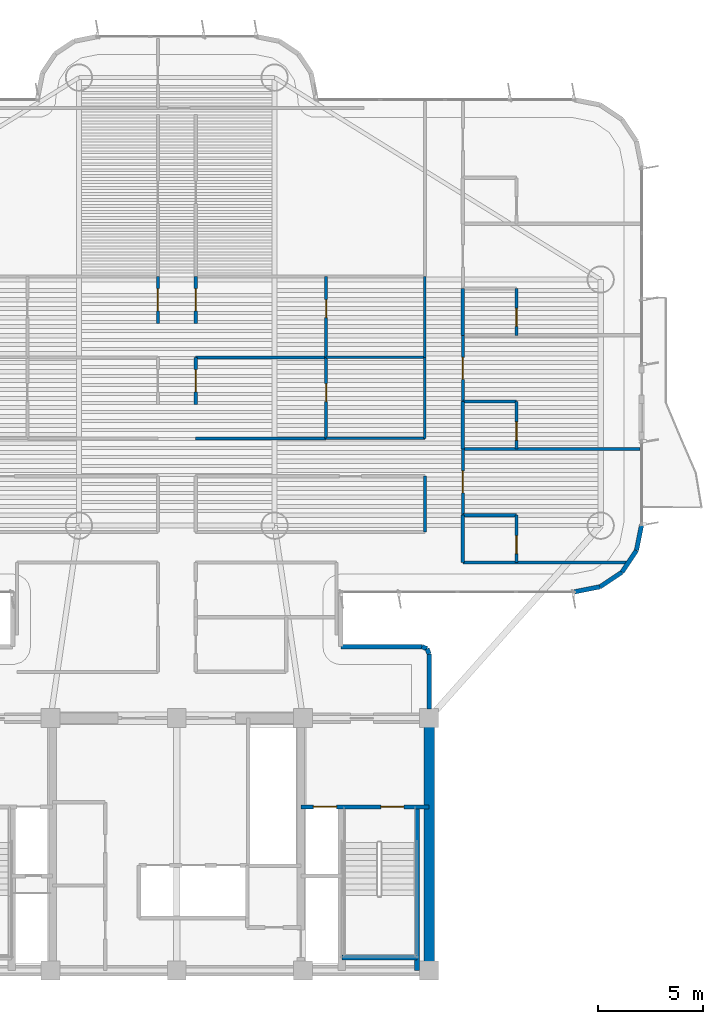
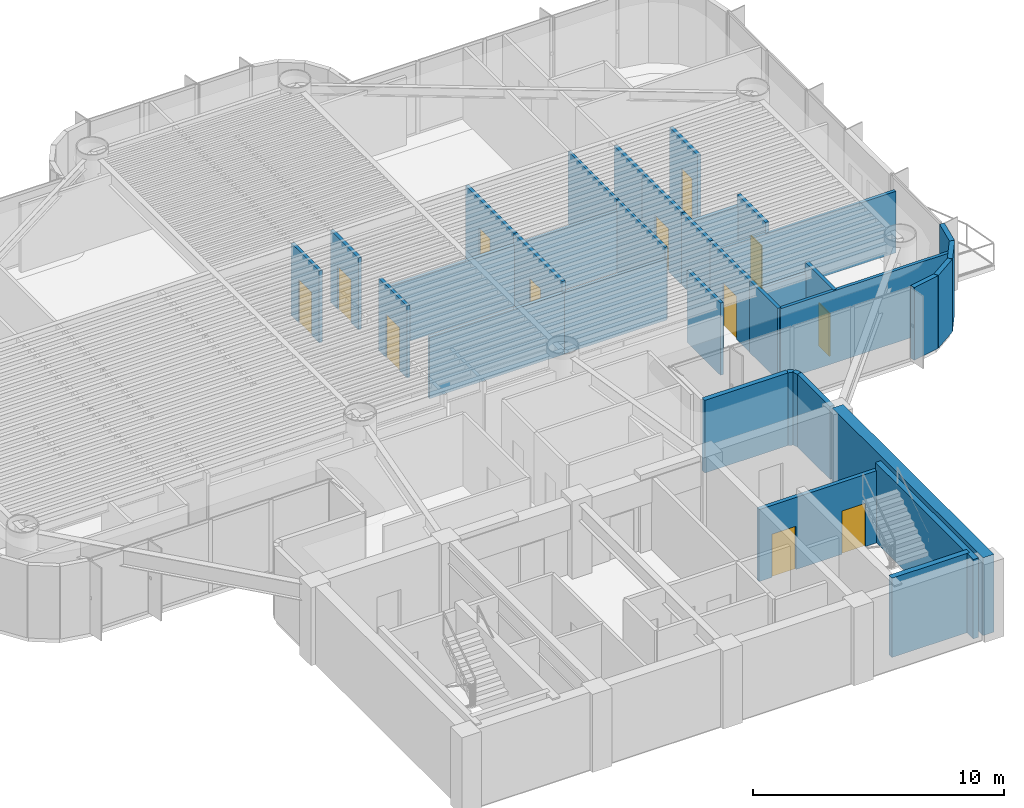
# One storey, part 11 of 17: 36 walls, 12 doors, 12 openings.
"""IFC4 building model written with IfcOpenShell, lengths in metres."""

from ifc_helpers import new_model, si_unit, direction, frame, frame_2d, origin, origin_2d, place, context, subcontext, project, spatial, rectangle, extrude, source, transform, mapped, material, layer, layer_set, type_object, element, fill, save


model = new_model("IFC4")

# Units and contexts
model_context = context("Model", 3, precision=1e-05, world=origin(), true_north=direction((0.0, 1.0)))
body_context = subcontext(model_context, "Body", "Model", "MODEL_VIEW")
ifc_project = project(units=[si_unit("LENGTHUNIT", "METRE"), si_unit("AREAUNIT", "SQUARE_METRE"), si_unit("VOLUMEUNIT", "CUBIC_METRE"), si_unit("PLANEANGLEUNIT", "RADIAN"), si_unit("MASSUNIT", "GRAM", prefix="KILO")], contexts=[model_context])

# Site, building, storey
site_placement = place(None, origin())
site = spatial("IfcSite", under=ifc_project, at=site_placement, CompositionType="ELEMENT")
building_placement = place(site_placement, origin())
building = spatial("IfcBuilding", under=site, at=building_placement, Name="Brelvock Crest Care Tower", CompositionType="ELEMENT")
storey_placement = place(building_placement, frame((0.0, 0.0, 131.39990234375)))
storey = spatial("IfcBuildingStorey", under=building, at=storey_placement, Name="L33", CompositionType="ELEMENT", Elevation=131.39990234375)

# Walls
ifc_material_1 = material(Name="Concrete S80 (80 MPa)", Category="concrete")
ifc_layer_1 = layer(ifc_material_1, 0.5, Name="WL-CS2")
ifc_layer_set_1 = layer_set([ifc_layer_1], Name="Concrete S80 (80 MPa)")
wall_type_1 = type_object("IfcWallType", Name="WL-CS2", PredefinedType="SHEAR", material=ifc_layer_set_1)
wall_1_placement = place(storey_placement, frame((48.0, 18.0, 0.0), z_axis=(0.0, 0.0, 1.0), x_axis=(0.0, -1.0, 0.0)))
element("IfcWall", 1, at=wall_1_placement, inside=storey, type_object=wall_type_1, Name="L33 Core East Shear Wall", PredefinedType="SHEAR", context=body_context, shape_type="SweptSolid", body=[
    extrude(rectangle(XDim=12.0, YDim=0.5, at=frame_2d((6.0, 0.0))), origin(), (0.0, 0.0, 1.0), 3.780029296875),
])
ifc_layer_2 = layer(ifc_material_1, 0.25, Name="WL-CS6")
ifc_layer_set_2 = layer_set([ifc_layer_2], Name="Concrete S80 (80 MPa)")
wall_type_2 = type_object("IfcWallType", Name="WL-CS6", PredefinedType="SHEAR", material=ifc_layer_set_2)
wall_2_placement = place(storey_placement, frame((47.419921875, 6.0, 0.0), z_axis=(0.0, 0.0, 1.0), x_axis=(0.0, 1.0, 0.0)))
element("IfcWall", 2, at=wall_2_placement, inside=storey, type_object=wall_type_2, Name="L33 Core Stair ST-2 East Shear Wall", PredefinedType="SHEAR", context=body_context, shape_type="SweptSolid", body=[
    extrude(rectangle(XDim=7.780029296875, YDim=0.25, at=frame_2d((3.89013671875, 0.0))), origin(), (0.0, 0.0, 1.0), 3.85009765625),
])
wall_3_placement = place(storey_placement, frame((43.85009765625, 6.6201171875, 0.0), z_axis=(0.0, 0.0, 1.0), x_axis=(1.0, 0.0, 0.0)))
element("IfcWall", 3, at=wall_3_placement, inside=storey, type_object=wall_type_2, Name="L33 Core Stair ST-2 South Shear Wall", PredefinedType="SHEAR", context=body_context, shape_type="SweptSolid", body=[
    extrude(rectangle(XDim=3.56982421875, YDim=0.25, at=frame_2d((1.784912109375, 0.0))), origin(), (0.0, 0.0, 1.0), 3.85009765625),
])
ifc_material_2 = material(Name="Precast concrete N40 (40 MPa)", Category="concrete")
ifc_layer_3 = layer(ifc_material_2, 0.215087890625, Name="WL-EX2")
ifc_layer_set_3 = layer_set([ifc_layer_3], Name="Precast concrete N40 (40 MPa)")
wall_type_3 = type_object("IfcWallType", Name="WL-EX2", PredefinedType="SOLIDWALL", material=ifc_layer_set_3)
wall_4_placement = place(storey_placement, frame((47.8974609375, 21.297607421875, 0.0), z_axis=(0.0, 0.0, 1.0), x_axis=(0.382673670509, -0.923883575944, 0.0)))
element("IfcWall", 4, at=wall_4_placement, inside=storey, type_object=wall_type_3, Name="L33 Rounded Corner Wall 00", PredefinedType="SOLIDWALL", context=body_context, shape_type="SweptSolid", body=[
    extrude(rectangle(XDim=0.26806640625, YDim=0.215087890625, at=frame_2d((0.134033203125, 0.0))), origin(), (0.0, 0.0, 1.0), 3.530029296875),
])
wall_5_placement = place(storey_placement, frame((48.0, 21.050048828125, 0.0), z_axis=(0.0, 0.0, 1.0), x_axis=(0.0, -1.0, 0.0)))
element("IfcWall", 5, at=wall_5_placement, inside=storey, type_object=wall_type_3, Name="L33 Rounded Corner Wall 01", PredefinedType="SOLIDWALL", context=body_context, shape_type="SweptSolid", body=[
    extrude(rectangle(XDim=2.6201171875, YDim=0.215087890625, at=frame_2d((1.31005859375, 0.0))), origin(), (0.0, 0.0, 1.0), 3.530029296875),
])
for number, where, z_axis, x_axis, name in (
    (6, (58.10009765625, 27.199951171875, 0.0), (0.0, 0.0, 1.0), (-0.195138390419, -0.980775717779, 0.0), "L33 Rounded Corner Wall 40"),
    (7, (57.8564453125, 25.975341796875, 0.0), (0.0, 0.0, 1.0), (-0.555692485475, -0.831387912822, 0.0), "L33 Rounded Corner Wall 41"),
    (8, (57.16259765625, 24.937255859375, 0.0), (0.0, 0.0, 1.0), (-0.831478245117, -0.555557312883, 0.0), "L33 Rounded Corner Wall 42"),
    (9, (56.12451171875, 24.24365234375, 0.0), (0.0, 0.0, 1.0), (-0.980775717779, -0.195138390419, 0.0), "L33 Rounded Corner Wall 43"),
):
    element("IfcWall", number, at=place(storey_placement, frame(where, z_axis=z_axis, x_axis=x_axis)), inside=storey, type_object=wall_type_3, Name=name, PredefinedType="SOLIDWALL", context=body_context, shape_type="SweptSolid", body=[
        extrude(rectangle(XDim=1.24853515625, YDim=0.215087890625, at=frame_2d((0.624267578125, 0.0))), origin(), (0.0, 0.0, 1.0), 3.530029296875),
    ])
wall_6_placement = place(storey_placement, frame((43.800048828125, 21.39990234375, 0.0), z_axis=(0.0, 0.0, 1.0), x_axis=(1.0, 0.0, 0.0)))
element("IfcWall", 10, at=wall_6_placement, inside=storey, type_object=wall_type_3, Name="L33 Rounded Corner Wall 46", PredefinedType="SOLIDWALL", context=body_context, shape_type="SweptSolid", body=[
    extrude(rectangle(XDim=3.849853515625, YDim=0.215087890625, at=frame_2d((1.9248046875, 0.0))), origin(), (0.0, 0.0, 1.0), 3.530029296875),
])
wall_7_placement = place(storey_placement, frame((47.64990234375, 21.39990234375, 0.0), z_axis=(0.0, 0.0, 1.0), x_axis=(0.924205486139, -0.381895560841, 0.0)))
element("IfcWall", 11, at=wall_7_placement, inside=storey, type_object=wall_type_3, Name="L33 Rounded Corner Wall 47", PredefinedType="SOLIDWALL", context=body_context, shape_type="SweptSolid", body=[
    extrude(rectangle(XDim=0.267822265625, YDim=0.215087890625, at=frame_2d((0.1337890625, 0.0))), origin(), (0.0, 0.0, 1.0), 3.530029296875),
])
ifc_material_3 = material(Name="Masonry Blockwork Acoustic Partition", Category="masonry")
ifc_layer_4 = layer(ifc_material_3, 0.14990234375, Name="WL-INT1")
ifc_layer_set_4 = layer_set([ifc_layer_4], Name="Masonry Blockwork Acoustic Partition")
wall_type_4 = type_object("IfcWallType", Name="WL-INT1", PredefinedType="PARTITIONING", material=ifc_layer_set_4)
wall_8_placement = place(storey_placement, frame((49.60009765625, 25.39990234375, 0.0), z_axis=(0.0, 0.0, 1.0), x_axis=(1.0, 0.0, 0.0)))
element("IfcWall", 12, at=wall_8_placement, inside=storey, type_object=wall_type_4, Name="L33 Interior Wall WL-BX-L33-CS-SNE1-S", PredefinedType="PARTITIONING", context=body_context, shape_type="SweptSolid", body=[
    extrude(rectangle(XDim=7.775634765625, YDim=0.14990234375, at=frame_2d((3.8876953125, 0.0))), origin(), (0.0, 0.0, 1.0), 3.5),
])
wall_9_placement = place(storey_placement, frame((49.60009765625, 30.800048828125, 0.0), z_axis=(0.0, 0.0, 1.0), x_axis=(1.0, 0.0, 0.0)))
element("IfcWall", 13, at=wall_9_placement, inside=storey, type_object=wall_type_4, Name="L33 Interior Wall WL-BX-L33-CS-SNE1-N", PredefinedType="PARTITIONING", context=body_context, shape_type="SweptSolid", body=[
    extrude(rectangle(XDim=8.419921875, YDim=0.14990234375, at=frame_2d((4.2099609375, 0.0))), origin(), (0.0, 0.0, 1.0), 2.982177734375),
])
for number, where, z_axis, x_axis, name in (
    (14, (36.89990234375, 31.300048828125, 0.0), (0.0, 0.0, 1.0), (1.0, 0.0, 0.0), "L33 Interior Wall WL-BX-L33-CS-INES1A-S"),
    (15, (36.89990234375, 35.14990234375, 0.0), (0.0, 0.0, 1.0), (1.0, 0.0, 0.0), "L33 Interior Wall WL-BX-L33-CS-INES1A-N"),
):
    element("IfcWall", number, at=place(storey_placement, frame(where, z_axis=z_axis, x_axis=x_axis)), inside=storey, type_object=wall_type_4, Name=name, PredefinedType="PARTITIONING", context=body_context, shape_type="SweptSolid", body=[
        extrude(rectangle(XDim=6.2001953125, YDim=0.14990234375, at=frame_2d((3.10009765625, 0.0))), origin(), (0.0, 0.0, 1.0), 2.982177734375),
    ])

# Wall, opening, door
wall_10_placement = place(storey_placement, frame((35.10009765625, 36.76708984375, 0.0), z_axis=(0.0, 0.0, 1.0), x_axis=(0.0, 1.0, 0.0)))
wall_10 = element("IfcWall", 16, at=wall_10_placement, inside=storey, type_object=wall_type_4, Name="L33 Interior Wall WL-CENT-L33-INWS1B", PredefinedType="PARTITIONING", context=body_context, shape_type="SweptSolid", body=[
    extrude(rectangle(XDim=2.23291015625, YDim=0.14990234375, at=frame_2d((1.116455078125, 0.0))), origin(), (0.0, 0.0, 1.0), 3.5),
])
opening_1_placement = place(wall_10_placement, frame((0.595947265625, 0.0, 0.0)))
opening_1 = element("IfcOpeningElement", 17, at=opening_1_placement, cuts=wall_10, Name="Opening CD-1", PredefinedType="OPENING", context=body_context, shape_type="SweptSolid", body=[
    extrude(rectangle(XDim=1.050048828125, YDim=2.10009765625, at=origin_2d()), frame((0.52490234375, 0.0849609375, 1.050048828125), z_axis=(0.0, -1.0, 0.0), x_axis=(1.0, 0.0, 0.0)), (0.0, 0.0, 1.0), 0.169921875),
])
ifc_material_4 = material(Name="Engineered Hardwood Timber", Category="wood")
door_type_1 = type_object("IfcDoorType", Name="DR-CARE1", OperationType="NOTDEFINED", PredefinedType="DOOR", material=ifc_material_4)
shared_shape_1 = source(origin(), body_context, "Body", "SweptSolid", [
    extrude(rectangle(XDim=1.050048828125, YDim=2.10009765625, at=origin_2d()), frame((0.52490234375, 0.02490234375, 1.050048828125), z_axis=(0.0, -1.0, 0.0), x_axis=(1.0, 0.0, 0.0)), (0.0, 0.0, 1.0), 0.050048828125),
])
door_1_placement = place(opening_1_placement, origin())
door_1 = element("IfcDoor", 18, at=door_1_placement, inside=storey, type_object=door_type_1, Name="L33 Care Suite Door INWS1B", OperationType="SINGLE_SWING_LEFT", OverallHeight=2.10009765625, OverallWidth=1.050048828125, PredefinedType="DOOR", context=body_context, shape_type="MappedRepresentation", body=[
    mapped(shared_shape_1, transform((0.0, 0.0, 0.0), x_axis=(1.0, 0.0, 0.0), y_axis=(0.0, 1.0, 0.0), z_axis=(0.0, 0.0, 1.0), scale=1.0)),
])
fill(opening_1, door_1)

wall_11_placement = place(storey_placement, frame((36.89990234375, 32.9169921875, 0.0), z_axis=(0.0, 0.0, 1.0), x_axis=(0.0, 1.0, 0.0)))
wall_11 = element("IfcWall", 19, at=wall_11_placement, inside=storey, type_object=wall_type_4, Name="L33 Interior Wall WL-CENT-L33-INES1A", PredefinedType="PARTITIONING", context=body_context, shape_type="SweptSolid", body=[
    extrude(rectangle(XDim=2.23291015625, YDim=0.14990234375, at=frame_2d((1.116455078125, 0.0))), origin(), (0.0, 0.0, 1.0), 3.5),
])
opening_2_placement = place(wall_11_placement, frame((0.595947265625, 0.0, 0.0)))
opening_2 = element("IfcOpeningElement", 20, at=opening_2_placement, cuts=wall_11, Name="Opening CD-1", PredefinedType="OPENING", context=body_context, shape_type="SweptSolid", body=[
    extrude(rectangle(XDim=1.050048828125, YDim=2.10009765625, at=origin_2d()), frame((0.52490234375, 0.0849609375, 1.050048828125), z_axis=(0.0, -1.0, 0.0), x_axis=(1.0, 0.0, 0.0)), (0.0, 0.0, 1.0), 0.169921875),
])
door_2_placement = place(opening_2_placement, origin())
door_2 = element("IfcDoor", 21, at=door_2_placement, inside=storey, type_object=door_type_1, Name="L33 Care Suite Door INES1A", OperationType="SINGLE_SWING_LEFT", OverallHeight=2.10009765625, OverallWidth=1.050048828125, PredefinedType="DOOR", context=body_context, shape_type="MappedRepresentation", body=[
    mapped(shared_shape_1, transform((0.0, 0.0, 0.0), x_axis=(1.0, 0.0, 0.0), y_axis=(0.0, 1.0, 0.0), z_axis=(0.0, 0.0, 1.0), scale=1.0)),
])
fill(opening_2, door_2)

wall_12_placement = place(storey_placement, frame((36.89990234375, 36.76708984375, 0.0), z_axis=(0.0, 0.0, 1.0), x_axis=(0.0, 1.0, 0.0)))
wall_12 = element("IfcWall", 22, at=wall_12_placement, inside=storey, type_object=wall_type_4, Name="L33 Interior Wall WL-CENT-L33-INES1B", PredefinedType="PARTITIONING", context=body_context, shape_type="SweptSolid", body=[
    extrude(rectangle(XDim=2.23291015625, YDim=0.14990234375, at=frame_2d((1.116455078125, 0.0))), origin(), (0.0, 0.0, 1.0), 3.5),
])
opening_3_placement = place(wall_12_placement, frame((0.595947265625, 0.0, 0.0)))
opening_3 = element("IfcOpeningElement", 23, at=opening_3_placement, cuts=wall_12, Name="Opening CD-1", PredefinedType="OPENING", context=body_context, shape_type="SweptSolid", body=[
    extrude(rectangle(XDim=1.050048828125, YDim=2.10009765625, at=origin_2d()), frame((0.52490234375, 0.0849609375, 1.050048828125), z_axis=(0.0, -1.0, 0.0), x_axis=(1.0, 0.0, 0.0)), (0.0, 0.0, 1.0), 0.169921875),
])
door_3_placement = place(opening_3_placement, origin())
door_3 = element("IfcDoor", 24, at=door_3_placement, inside=storey, type_object=door_type_1, Name="L33 Care Suite Door INES1B", OperationType="SINGLE_SWING_LEFT", OverallHeight=2.10009765625, OverallWidth=1.050048828125, PredefinedType="DOOR", context=body_context, shape_type="MappedRepresentation", body=[
    mapped(shared_shape_1, transform((0.0, 0.0, 0.0), x_axis=(1.0, 0.0, 0.0), y_axis=(0.0, 1.0, 0.0), z_axis=(0.0, 0.0, 1.0), scale=1.0)),
])
fill(opening_3, door_3)

wall_13_placement = place(storey_placement, frame((43.10009765625, 31.300048828125, 0.0), z_axis=(0.0, 0.0, 1.0), x_axis=(0.0, 1.0, 0.0)))
wall_13 = element("IfcWall", 25, at=wall_13_placement, inside=storey, type_object=wall_type_4, Name="L33 Interior Wall WL-RM-L33-INES1AS", PredefinedType="PARTITIONING", context=body_context, shape_type="SweptSolid", body=[
    extrude(rectangle(XDim=3.849853515625, YDim=0.14990234375, at=frame_2d((1.9248046875, 0.0))), origin(), (0.0, 0.0, 1.0), 3.5),
])
opening_4_placement = place(wall_13_placement, frame((1.739990234375, 0.0, 0.0)))
opening_4 = element("IfcOpeningElement", 26, at=opening_4_placement, cuts=wall_13, Name="Opening ID-1", PredefinedType="OPENING", context=body_context, shape_type="SweptSolid", body=[
    extrude(rectangle(XDim=0.860107421875, YDim=2.10009765625, at=origin_2d()), frame((0.43017578125, 0.0849609375, 1.050048828125), z_axis=(0.0, -1.0, 0.0), x_axis=(1.0, 0.0, 0.0)), (0.0, 0.0, 1.0), 0.169921875),
])
door_type_2 = type_object("IfcDoorType", Name="DR-INT1", OperationType="NOTDEFINED", PredefinedType="DOOR", material=ifc_material_4)
shared_shape_2 = source(origin(), body_context, "Body", "SweptSolid", [
    extrude(rectangle(XDim=0.860107421875, YDim=2.10009765625, at=origin_2d()), frame((0.43017578125, 0.02490234375, 1.050048828125), z_axis=(0.0, -1.0, 0.0), x_axis=(1.0, 0.0, 0.0)), (0.0, 0.0, 1.0), 0.050048828125),
])
door_4_placement = place(opening_4_placement, origin())
door_4 = element("IfcDoor", 27, at=door_4_placement, inside=storey, type_object=door_type_2, Name="L33 Skilled Nursing Mobility Store Door INES1AS", OperationType="SINGLE_SWING_LEFT", OverallHeight=2.10009765625, OverallWidth=0.860107421875, PredefinedType="DOOR", context=body_context, shape_type="MappedRepresentation", body=[
    mapped(shared_shape_2, transform((0.0, 0.0, 0.0), x_axis=(1.0, 0.0, 0.0), y_axis=(0.0, 1.0, 0.0), z_axis=(0.0, 0.0, 1.0), scale=1.0)),
])
fill(opening_4, door_4)

wall_14_placement = place(storey_placement, frame((43.10009765625, 35.14990234375, 0.0), z_axis=(0.0, 0.0, 1.0), x_axis=(0.0, 1.0, 0.0)))
wall_14 = element("IfcWall", 28, at=wall_14_placement, inside=storey, type_object=wall_type_4, Name="L33 Interior Wall WL-RM-L33-INES1BS", PredefinedType="PARTITIONING", context=body_context, shape_type="SweptSolid", body=[
    extrude(rectangle(XDim=3.85009765625, YDim=0.14990234375, at=frame_2d((1.925048828125, 0.0))), origin(), (0.0, 0.0, 1.0), 3.5),
])
opening_5_placement = place(wall_14_placement, frame((1.889892578125, 0.0, 0.0)))
opening_5 = element("IfcOpeningElement", 29, at=opening_5_placement, cuts=wall_14, Name="Opening ID-1", PredefinedType="OPENING", context=body_context, shape_type="SweptSolid", body=[
    extrude(rectangle(XDim=0.860107421875, YDim=2.10009765625, at=origin_2d()), frame((0.43017578125, 0.0849609375, 1.050048828125), z_axis=(0.0, -1.0, 0.0), x_axis=(1.0, 0.0, 0.0)), (0.0, 0.0, 1.0), 0.169921875),
])
door_5_placement = place(opening_5_placement, origin())
door_5 = element("IfcDoor", 30, at=door_5_placement, inside=storey, type_object=door_type_2, Name="L33 Skilled Nursing Mobility Store Door INES1BS", OperationType="SINGLE_SWING_LEFT", OverallHeight=2.10009765625, OverallWidth=0.860107421875, PredefinedType="DOOR", context=body_context, shape_type="MappedRepresentation", body=[
    mapped(shared_shape_2, transform((0.0, 0.0, 0.0), x_axis=(1.0, 0.0, 0.0), y_axis=(0.0, 1.0, 0.0), z_axis=(0.0, 0.0, 1.0), scale=1.0)),
])
fill(opening_5, door_5)

# Wall
wall_15_placement = place(storey_placement, frame((47.800048828125, 26.85009765625, 0.0), z_axis=(0.0, 0.0, 1.0), x_axis=(0.0, 1.0, 0.0)))
element("IfcWall", 31, at=wall_15_placement, inside=storey, type_object=wall_type_4, Name="L33 Interior Wall WL-BX-L33-ISEM-E", PredefinedType="PARTITIONING", context=body_context, shape_type="SweptSolid", body=[
    extrude(rectangle(XDim=2.64990234375, YDim=0.14990234375, at=frame_2d((1.324951171875, 0.0))), origin(), (0.0, 0.0, 1.0), 3.5),
])

# Wall, opening, door
wall_16_placement = place(storey_placement, frame((49.60009765625, 27.64990234375, 0.0), z_axis=(0.0, 0.0, 1.0), x_axis=(0.0, 1.0, 0.0)))
wall_16 = element("IfcWall", 32, at=wall_16_placement, inside=storey, type_object=wall_type_4, Name="L33 Interior Wall WL-CENT-L33-SNE1", PredefinedType="PARTITIONING", context=body_context, shape_type="SweptSolid", body=[
    extrude(rectangle(XDim=3.150146484375, YDim=0.14990234375, at=frame_2d((1.5751953125, 0.0))), origin(), (0.0, 0.0, 1.0), 3.5),
])
opening_6_placement = place(wall_16_placement, frame((1.054931640625, 0.0, 0.0)))
opening_6 = element("IfcOpeningElement", 33, at=opening_6_placement, cuts=wall_16, Name="Opening CD-1", PredefinedType="OPENING", context=body_context, shape_type="SweptSolid", body=[
    extrude(rectangle(XDim=1.050048828125, YDim=2.10009765625, at=origin_2d()), frame((0.52490234375, 0.0849609375, 1.050048828125), z_axis=(0.0, -1.0, 0.0), x_axis=(1.0, 0.0, 0.0)), (0.0, 0.0, 1.0), 0.169921875),
])
door_6_placement = place(opening_6_placement, origin())
door_6 = element("IfcDoor", 34, at=door_6_placement, inside=storey, type_object=door_type_1, Name="L33 Care Suite Door SNE1", OperationType="SINGLE_SWING_LEFT", OverallHeight=2.10009765625, OverallWidth=1.050048828125, PredefinedType="DOOR", context=body_context, shape_type="MappedRepresentation", body=[
    mapped(shared_shape_1, transform((0.0, 0.0, 0.0), x_axis=(1.0, 0.0, 0.0), y_axis=(0.0, 1.0, 0.0), z_axis=(0.0, 0.0, 1.0), scale=1.0)),
])
fill(opening_6, door_6)

wall_17_placement = place(storey_placement, frame((49.60009765625, 33.050048828125, 0.0), z_axis=(0.0, 0.0, 1.0), x_axis=(0.0, 1.0, 0.0)))
wall_17 = element("IfcWall", 35, at=wall_17_placement, inside=storey, type_object=wall_type_4, Name="L33 Interior Wall WL-CENT-L33-SNE2", PredefinedType="PARTITIONING", context=body_context, shape_type="SweptSolid", body=[
    extrude(rectangle(XDim=3.14990234375, YDim=0.14990234375, at=frame_2d((1.574951171875, 0.0))), origin(), (0.0, 0.0, 1.0), 3.5),
])
opening_7_placement = place(wall_17_placement, frame((1.054931640625, 0.0, 0.0)))
opening_7 = element("IfcOpeningElement", 36, at=opening_7_placement, cuts=wall_17, Name="Opening CD-1", PredefinedType="OPENING", context=body_context, shape_type="SweptSolid", body=[
    extrude(rectangle(XDim=1.050048828125, YDim=2.10009765625, at=origin_2d()), frame((0.52490234375, 0.0849609375, 1.050048828125), z_axis=(0.0, -1.0, 0.0), x_axis=(1.0, 0.0, 0.0)), (0.0, 0.0, 1.0), 0.169921875),
])
door_7_placement = place(opening_7_placement, origin())
door_7 = element("IfcDoor", 37, at=door_7_placement, inside=storey, type_object=door_type_1, Name="L33 Care Suite Door SNE2", OperationType="SINGLE_SWING_LEFT", OverallHeight=2.10009765625, OverallWidth=1.050048828125, PredefinedType="DOOR", context=body_context, shape_type="MappedRepresentation", body=[
    mapped(shared_shape_1, transform((0.0, 0.0, 0.0), x_axis=(1.0, 0.0, 0.0), y_axis=(0.0, 1.0, 0.0), z_axis=(0.0, 0.0, 1.0), scale=1.0)),
])
fill(opening_7, door_7)

# Walls
ifc_material_5 = material(Name="Gypsum Plasterboard Partition", Category="gypsum")
ifc_layer_5 = layer(ifc_material_5, 0.1201171875, Name="WL-INT2")
ifc_layer_set_5 = layer_set([ifc_layer_5], Name="Gypsum Plasterboard Partition")
wall_type_5 = type_object("IfcWallType", Name="WL-INT2", PredefinedType="PARTITIONING", material=ifc_layer_set_5)
for number, where, z_axis, x_axis, name in (
    (38, (43.10009765625, 31.300048828125, 0.0), (0.0, 0.0, 1.0), (1.0, 0.0, 0.0), "L33 Interior Wall WL-BX-L33-INES1AS-S"),
    (39, (43.10009765625, 35.14990234375, 0.0), (0.0, 0.0, 1.0), (1.0, 0.0, 0.0), "L33 Interior Wall WL-BX-L33-INES1AS-N"),
):
    element("IfcWall", number, at=place(storey_placement, frame(where, z_axis=z_axis, x_axis=x_axis)), inside=storey, type_object=wall_type_5, Name=name, PredefinedType="PARTITIONING", context=body_context, shape_type="SweptSolid", body=[
        extrude(rectangle(XDim=4.699951171875, YDim=0.1201171875, at=frame_2d((2.35009765625, 0.0))), origin(), (0.0, 0.0, 1.0), 2.982177734375),
    ])
wall_18_placement = place(storey_placement, frame((47.800048828125, 31.300048828125, 0.0), z_axis=(0.0, 0.0, 1.0), x_axis=(0.0, 1.0, 0.0)))
element("IfcWall", 40, at=wall_18_placement, inside=storey, type_object=wall_type_5, Name="L33 Interior Wall WL-BX-L33-INES1AS-E", PredefinedType="PARTITIONING", context=body_context, shape_type="SweptSolid", body=[
    extrude(rectangle(XDim=3.849853515625, YDim=0.1201171875, at=frame_2d((1.9248046875, 0.0))), origin(), (0.0, 0.0, 1.0), 3.5),
])
wall_19_placement = place(storey_placement, frame((47.800048828125, 35.14990234375, 0.0), z_axis=(0.0, 0.0, 1.0), x_axis=(0.0, 1.0, 0.0)))
element("IfcWall", 41, at=wall_19_placement, inside=storey, type_object=wall_type_5, Name="L33 Interior Wall WL-BX-L33-INES1BS-E", PredefinedType="PARTITIONING", context=body_context, shape_type="SweptSolid", body=[
    extrude(rectangle(XDim=3.85009765625, YDim=0.1201171875, at=frame_2d((1.925048828125, 0.0))), origin(), (0.0, 0.0, 1.0), 3.5),
])
ifc_layer_6 = layer(ifc_material_5, 0.159912109375, Name="WL-PLM1")
ifc_layer_set_6 = layer_set([ifc_layer_6], Name="Gypsum Plasterboard Partition")
wall_type_6 = type_object("IfcWallType", Name="WL-PLM1", PredefinedType="PLUMBINGWALL", material=ifc_layer_set_6)
for number, where, z_axis, x_axis, name in (
    (42, (49.60009765625, 27.64990234375, 0.0), (0.0, 0.0, 1.0), (1.0, 0.0, 0.0), "L33 Interior Wall WL-CENS2-L33-SNE1"),
    (43, (49.60009765625, 33.050048828125, 0.0), (0.0, 0.0, 1.0), (1.0, 0.0, 0.0), "L33 Interior Wall WL-CENS2-L33-SNE2"),
):
    element("IfcWall", number, at=place(storey_placement, frame(where, z_axis=z_axis, x_axis=x_axis)), inside=storey, type_object=wall_type_6, Name=name, PredefinedType="PLUMBINGWALL", context=body_context, shape_type="SweptSolid", body=[
        extrude(rectangle(XDim=2.5498046875, YDim=0.159912109375, at=frame_2d((1.27490234375, 0.0))), origin(), (0.0, 0.0, 1.0), 2.982177734375),
    ])
for number, where, z_axis, x_axis, name in (
    (44, (49.60009765625, 25.39990234375, 0.0), (0.0, 0.0, 1.0), (0.0, 1.0, 0.0), "L33 Interior Wall WL-CENS0-L33-SNE1"),
    (45, (49.60009765625, 30.800048828125, 0.0), (0.0, 0.0, 1.0), (0.0, 1.0, 0.0), "L33 Interior Wall WL-CENS0-L33-SNE2"),
):
    element("IfcWall", number, at=place(storey_placement, frame(where, z_axis=z_axis, x_axis=x_axis)), inside=storey, type_object=wall_type_6, Name=name, PredefinedType="PLUMBINGWALL", context=body_context, shape_type="SweptSolid", body=[
        extrude(rectangle(XDim=2.25, YDim=0.159912109375, at=frame_2d((1.125, 0.0))), origin(), (0.0, 0.0, 1.0), 3.5),
    ])
wall_20_placement = place(storey_placement, frame((49.60009765625, 36.199951171875, 0.0), z_axis=(0.0, 0.0, 1.0), x_axis=(0.0, 1.0, 0.0)))
element("IfcWall", 46, at=wall_20_placement, inside=storey, type_object=wall_type_6, Name="L33 Interior Wall WL-CENS0-L33-SNE3", PredefinedType="PLUMBINGWALL", context=body_context, shape_type="SweptSolid", body=[
    extrude(rectangle(XDim=2.22607421875, YDim=0.159912109375, at=frame_2d((1.113037109375, 0.0))), origin(), (0.0, 0.0, 1.0), 3.5),
])

# Wall, opening, door
wall_21_placement = place(storey_placement, frame((52.14990234375, 25.39990234375, 0.0), z_axis=(0.0, 0.0, 1.0), x_axis=(0.0, 1.0, 0.0)))
wall_21 = element("IfcWall", 47, at=wall_21_placement, inside=storey, type_object=wall_type_6, Name="L33 Interior Wall WL-CENS1-L33-SNE1", PredefinedType="PLUMBINGWALL", context=body_context, shape_type="SweptSolid", body=[
    extrude(rectangle(XDim=2.25, YDim=0.159912109375, at=frame_2d((1.125, 0.0))), origin(), (0.0, 0.0, 1.0), 3.5),
])
opening_8_placement = place(wall_21_placement, frame((0.419921875, 0.0, 0.0)))
opening_8 = element("IfcOpeningElement", 48, at=opening_8_placement, cuts=wall_21, Name="Opening WD-1", PredefinedType="OPENING", context=body_context, shape_type="SweptSolid", body=[
    extrude(rectangle(XDim=0.860107421875, YDim=2.10009765625, at=origin_2d()), frame((0.43017578125, 0.08984375, 1.050048828125), z_axis=(0.0, -1.0, 0.0), x_axis=(1.0, 0.0, 0.0)), (0.0, 0.0, 1.0), 0.179931640625),
])
door_type_3 = type_object("IfcDoorType", Name="DR-WC1", OperationType="NOTDEFINED", PredefinedType="DOOR", material=ifc_material_4)
shared_shape_3 = source(origin(), body_context, "Body", "SweptSolid", [
    extrude(rectangle(XDim=0.860107421875, YDim=2.10009765625, at=origin_2d()), frame((0.43017578125, 0.02490234375, 1.050048828125), z_axis=(0.0, -1.0, 0.0), x_axis=(1.0, 0.0, 0.0)), (0.0, 0.0, 1.0), 0.050048828125),
])
door_8_placement = place(opening_8_placement, origin())
door_8 = element("IfcDoor", 49, at=door_8_placement, inside=storey, type_object=door_type_3, Name="L33 Care En-Suite Door SNE1", OperationType="SINGLE_SWING_RIGHT", OverallHeight=2.10009765625, OverallWidth=0.860107421875, PredefinedType="DOOR", context=body_context, shape_type="MappedRepresentation", body=[
    mapped(shared_shape_3, transform((0.0, 0.0, 0.0), x_axis=(1.0, 0.0, 0.0), y_axis=(0.0, 1.0, 0.0), z_axis=(0.0, 0.0, 1.0), scale=1.0)),
])
fill(opening_8, door_8)

wall_22_placement = place(storey_placement, frame((52.14990234375, 30.800048828125, 0.0), z_axis=(0.0, 0.0, 1.0), x_axis=(0.0, 1.0, 0.0)))
wall_22 = element("IfcWall", 50, at=wall_22_placement, inside=storey, type_object=wall_type_6, Name="L33 Interior Wall WL-CENS1-L33-SNE2", PredefinedType="PLUMBINGWALL", context=body_context, shape_type="SweptSolid", body=[
    extrude(rectangle(XDim=2.25, YDim=0.159912109375, at=frame_2d((1.125, 0.0))), origin(), (0.0, 0.0, 1.0), 3.5),
])
opening_9_placement = place(wall_22_placement, frame((0.419921875, 0.0, 0.0)))
opening_9 = element("IfcOpeningElement", 51, at=opening_9_placement, cuts=wall_22, Name="Opening WD-1", PredefinedType="OPENING", context=body_context, shape_type="SweptSolid", body=[
    extrude(rectangle(XDim=0.860107421875, YDim=2.10009765625, at=origin_2d()), frame((0.43017578125, 0.08984375, 1.050048828125), z_axis=(0.0, -1.0, 0.0), x_axis=(1.0, 0.0, 0.0)), (0.0, 0.0, 1.0), 0.179931640625),
])
door_9_placement = place(opening_9_placement, origin())
door_9 = element("IfcDoor", 52, at=door_9_placement, inside=storey, type_object=door_type_3, Name="L33 Care En-Suite Door SNE2", OperationType="SINGLE_SWING_RIGHT", OverallHeight=2.10009765625, OverallWidth=0.860107421875, PredefinedType="DOOR", context=body_context, shape_type="MappedRepresentation", body=[
    mapped(shared_shape_3, transform((0.0, 0.0, 0.0), x_axis=(1.0, 0.0, 0.0), y_axis=(0.0, 1.0, 0.0), z_axis=(0.0, 0.0, 1.0), scale=1.0)),
])
fill(opening_9, door_9)

wall_23_placement = place(storey_placement, frame((52.14990234375, 36.199951171875, 0.0), z_axis=(0.0, 0.0, 1.0), x_axis=(0.0, 1.0, 0.0)))
wall_23 = element("IfcWall", 53, at=wall_23_placement, inside=storey, type_object=wall_type_6, Name="L33 Interior Wall WL-CENS1-L33-SNE3", PredefinedType="PLUMBINGWALL", context=body_context, shape_type="SweptSolid", body=[
    extrude(rectangle(XDim=2.22607421875, YDim=0.159912109375, at=frame_2d((1.113037109375, 0.0))), origin(), (0.0, 0.0, 1.0), 3.5),
])
opening_10_placement = place(wall_23_placement, frame((0.419921875, 0.0, 0.0)))
opening_10 = element("IfcOpeningElement", 54, at=opening_10_placement, cuts=wall_23, Name="Opening WD-1", PredefinedType="OPENING", context=body_context, shape_type="SweptSolid", body=[
    extrude(rectangle(XDim=0.860107421875, YDim=2.10009765625, at=origin_2d()), frame((0.43017578125, 0.08984375, 1.050048828125), z_axis=(0.0, -1.0, 0.0), x_axis=(1.0, 0.0, 0.0)), (0.0, 0.0, 1.0), 0.179931640625),
])
door_10_placement = place(opening_10_placement, origin())
door_10 = element("IfcDoor", 55, at=door_10_placement, inside=storey, type_object=door_type_3, Name="L33 Care En-Suite Door SNE3", OperationType="SINGLE_SWING_RIGHT", OverallHeight=2.10009765625, OverallWidth=0.860107421875, PredefinedType="DOOR", context=body_context, shape_type="MappedRepresentation", body=[
    mapped(shared_shape_3, transform((0.0, 0.0, 0.0), x_axis=(1.0, 0.0, 0.0), y_axis=(0.0, 1.0, 0.0), z_axis=(0.0, 0.0, 1.0), scale=1.0)),
])
fill(opening_10, door_10)

# Wall, openings, doors
ifc_layer_7 = layer(ifc_material_3, 0.179931640625, Name="WL-SHF1")
ifc_layer_set_7 = layer_set([ifc_layer_7], Name="Masonry Blockwork Acoustic Partition")
wall_type_7 = type_object("IfcWallType", Name="WL-SHF1", PredefinedType="PARTITIONING", material=ifc_layer_set_7)
wall_24_placement = place(storey_placement, frame((41.89990234375, 13.780029296875, 0.0), z_axis=(0.0, 0.0, 1.0), x_axis=(1.0, 0.0, 0.0)))
wall_24 = element("IfcWall", 56, at=wall_24_placement, inside=storey, type_object=wall_type_7, Name="L33 Interior Wall WL-ST2-N-L33", PredefinedType="PARTITIONING", context=body_context, shape_type="SweptSolid", body=[
    extrude(rectangle(XDim=6.10009765625, YDim=0.179931640625, at=frame_2d((3.050048828125, 0.0))), origin(), (0.0, 0.0, 1.0), 3.5),
])
opening_11_placement = place(wall_24_placement, frame((0.60009765625, 0.0, 0.0)))
opening_11 = element("IfcOpeningElement", 57, at=opening_11_placement, cuts=wall_24, Name="Opening LD", PredefinedType="OPENING", context=body_context, shape_type="SweptSolid", body=[
    extrude(rectangle(XDim=1.10009765625, YDim=2.10009765625, at=origin_2d()), frame((0.550048828125, 0.10009765625, 1.050048828125), z_axis=(0.0, -1.0, 0.0), x_axis=(1.0, 0.0, 0.0)), (0.0, 0.0, 1.0), 0.199951171875),
])
opening_12_placement = place(wall_24_placement, frame((3.800048828125, 0.0, 0.0)))
opening_12 = element("IfcOpeningElement", 58, at=opening_12_placement, cuts=wall_24, Name="Opening SD-1", PredefinedType="OPENING", context=body_context, shape_type="SweptSolid", body=[
    extrude(rectangle(XDim=1.10009765625, YDim=2.10009765625, at=origin_2d()), frame((0.550048828125, 0.10009765625, 1.050048828125), z_axis=(0.0, -1.0, 0.0), x_axis=(1.0, 0.0, 0.0)), (0.0, 0.0, 1.0), 0.199951171875),
])
ifc_material_6 = material(Name="Steel Grade 350", Category="steel")
door_type_4 = type_object("IfcDoorType", Name="DR-ST1", OperationType="NOTDEFINED", PredefinedType="DOOR", material=ifc_material_6)
shared_shape_4 = source(origin(), body_context, "Body", "SweptSolid", [
    extrude(rectangle(XDim=1.10009765625, YDim=2.10009765625, at=origin_2d()), frame((0.550048828125, 0.02490234375, 1.050048828125), z_axis=(0.0, -1.0, 0.0), x_axis=(1.0, 0.0, 0.0)), (0.0, 0.0, 1.0), 0.050048828125),
])
door_11_placement = place(opening_12_placement, origin())
door_11 = element("IfcDoor", 59, at=door_11_placement, inside=storey, type_object=door_type_4, Name="L33 Fire Stair ST-2 Door", OperationType="SINGLE_SWING_RIGHT", OverallHeight=2.10009765625, OverallWidth=1.10009765625, PredefinedType="DOOR", context=body_context, shape_type="MappedRepresentation", body=[
    mapped(shared_shape_4, transform((0.0, 0.0, 0.0), x_axis=(1.0, 0.0, 0.0), y_axis=(0.0, 1.0, 0.0), z_axis=(0.0, 0.0, 1.0), scale=1.0)),
])
fill(opening_12, door_11)
door_type_5 = type_object("IfcDoorType", Name="DR-LD1", OperationType="NOTDEFINED", PredefinedType="DOOR", material=ifc_material_6)
shared_shape_5 = source(origin(), body_context, "Body", "SweptSolid", [
    extrude(rectangle(XDim=1.10009765625, YDim=2.10009765625, at=origin_2d()), frame((0.550048828125, 0.02490234375, 1.050048828125), z_axis=(0.0, -1.0, 0.0), x_axis=(1.0, 0.0, 0.0)), (0.0, 0.0, 1.0), 0.050048828125),
])
door_12_placement = place(opening_11_placement, origin())
door_12 = element("IfcDoor", 60, at=door_12_placement, inside=storey, type_object=door_type_5, Name="L33 Firefighting Lift FFL-2 Landing Door", OperationType="SLIDING_TO_RIGHT", OverallHeight=2.10009765625, OverallWidth=1.10009765625, PredefinedType="DOOR", context=body_context, shape_type="MappedRepresentation", body=[
    mapped(shared_shape_5, transform((0.0, 0.0, 0.0), x_axis=(1.0, 0.0, 0.0), y_axis=(0.0, 1.0, 0.0), z_axis=(0.0, 0.0, 1.0), scale=1.0)),
])
fill(opening_11, door_12)

save(model, "model.ifc")
